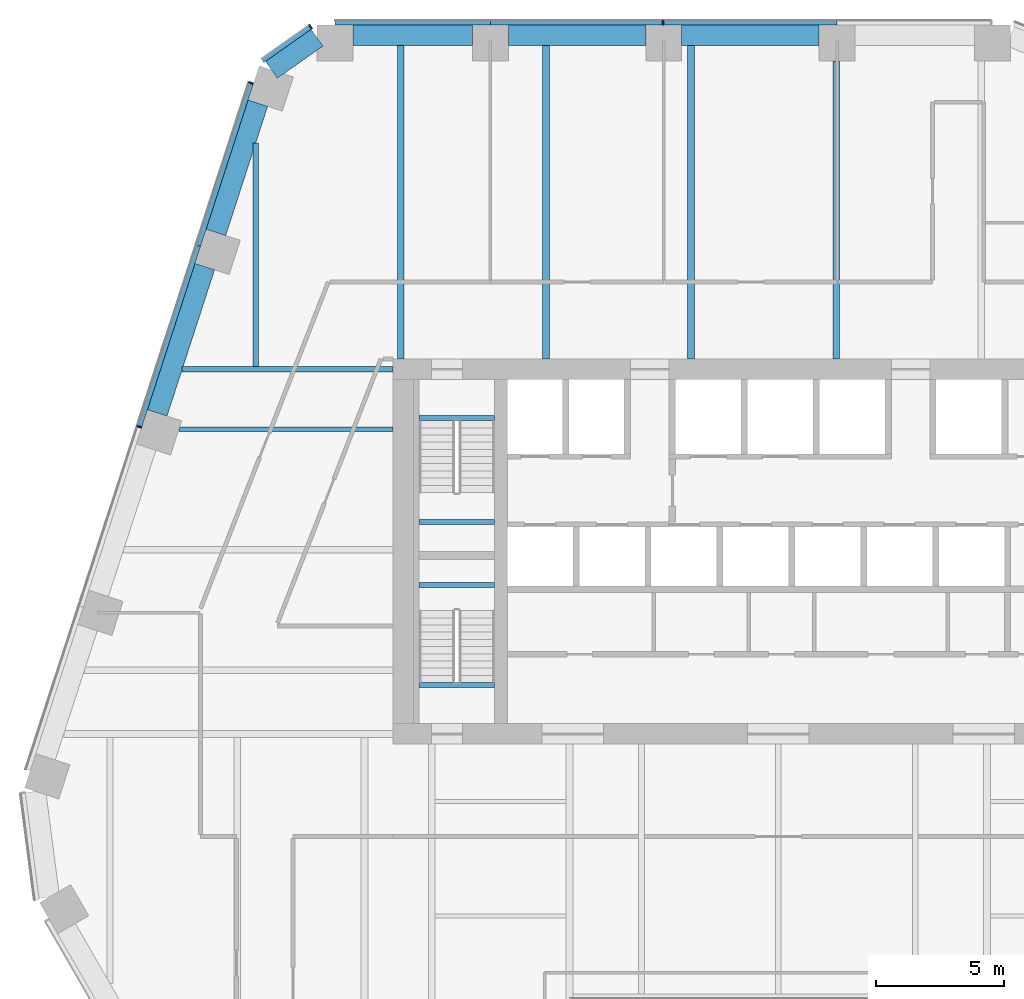
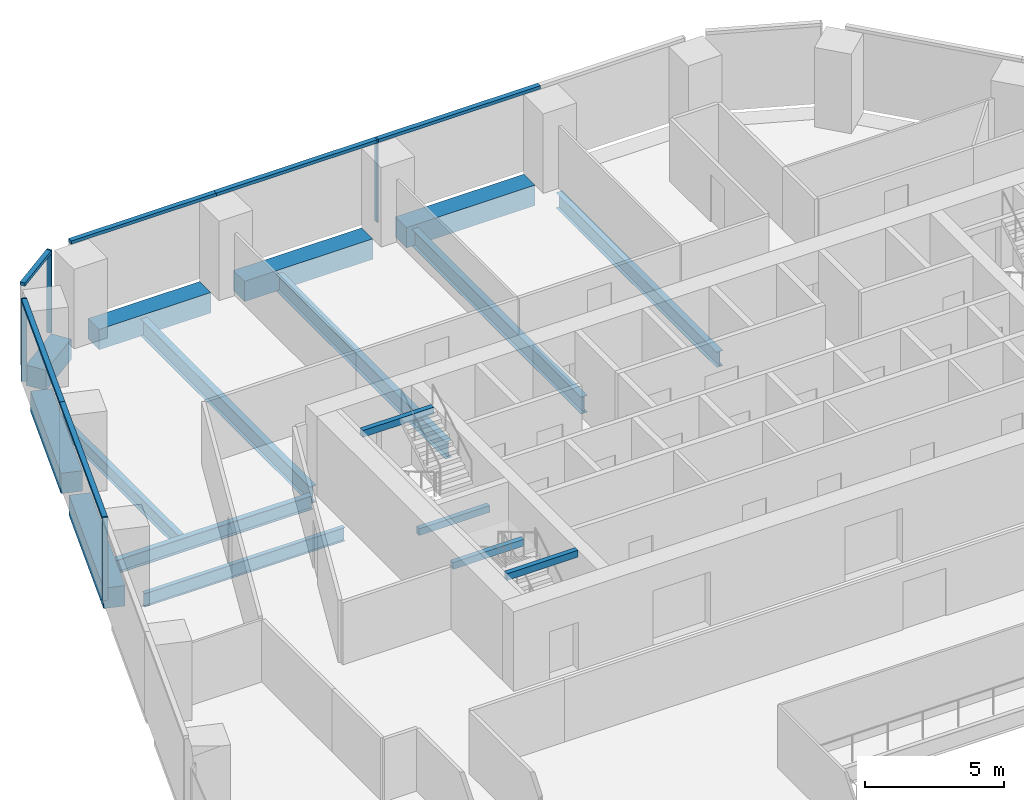
# One storey, part 7 of 16: 17 beams, 10 members, 3 elements without a shape of their own.
"""IFC4 building model written with IfcOpenShell, lengths in metres."""

import ifcopenshell
import ifcopenshell.guid

model = None  # the IFC model being written
_history = None  # IfcOwnerHistory: only IFC2X3 demands one
_inside = {}  # id of a spatial element -> (the spatial element, [elements in it])
_under = {}  # id of a project, library or spatial element -> (it, [spatial elements below it])
_declared = {}  # id of a project -> (the project, [libraries it declares])
_typed = {}  # id of a type object -> (the type object, [elements of that type])
_made_of = {}  # id of a material, layer set ... -> (it, [elements and type objects made of it])


def new_model(schema):
    """Start an empty IFC model of exactly this schema.

    Asked for "IFC4X3", IfcOpenShell would pick the latest addendum, in which some entities
    have other attributes; the version numbers below select the first issue.
    IFC2X3 requires an IfcOwnerHistory on every rooted entity: one is made here for all.
    """
    global model, _history
    if schema == "IFC4X3":
        model = ifcopenshell.file(schema_version=(4, 3, 0, 0))
    else:
        model = ifcopenshell.file(schema=schema)
    _inside.clear()
    _under.clear()
    _declared.clear()
    _typed.clear()
    _made_of.clear()
    _history = None
    if model.schema == "IFC2X3":
        org = make("IfcOrganization", Name="unknown")
        user = make(
            "IfcPersonAndOrganization",
            ThePerson=make("IfcPerson", FamilyName="unknown"),
            TheOrganization=org,
        )
        app = make(
            "IfcApplication",
            ApplicationDeveloper=org,
            Version="unknown",
            ApplicationFullName="unknown",
            ApplicationIdentifier="unknown",
        )
        _history = make(
            "IfcOwnerHistory",
            OwningUser=user,
            OwningApplication=app,
            ChangeAction="ADDED",
            CreationDate=0,
        )
    return model


def make(cls, **values):
    """One entity of the class cls with the attributes given. An attribute that is None is left unset."""
    return model.create_entity(
        cls, **{name: value for name, value in values.items() if value is not None}
    )


def rooted(cls, **values):
    """An entity with a GlobalId (a new one), such as an element, a storey or a relation."""
    return make(cls, GlobalId=ifcopenshell.guid.new(), OwnerHistory=_history, **values)


def si_unit(unit_type, name, prefix=None):
    """IfcSIUnit, for example si_unit("LENGTHUNIT", "METRE", prefix="MILLI")."""
    return make("IfcSIUnit", UnitType=unit_type, Prefix=prefix, Name=name)


def assignment(units):
    """IfcUnitAssignment: the units of a project."""
    return None if units is None else make("IfcUnitAssignment", Units=units)


def point(xyz):
    """IfcCartesianPoint."""
    return None if xyz is None else make("IfcCartesianPoint", Coordinates=xyz)


def direction(xyz):
    """IfcDirection."""
    return None if xyz is None else make("IfcDirection", DirectionRatios=xyz)


def frame(location, z_axis=None, x_axis=None):
    """IfcAxis2Placement3D, a coordinate frame: its origin and axes. An axis left out is left unset."""
    return make(
        "IfcAxis2Placement3D",
        Location=point(location),
        Axis=direction(z_axis),
        RefDirection=direction(x_axis),
    )


def frame_2d(location, x_axis=None):
    """IfcAxis2Placement2D, a coordinate frame in the plane: its origin and x axis."""
    return make(
        "IfcAxis2Placement2D", Location=point(location), RefDirection=direction(x_axis)
    )


def origin():
    """The frame at (0, 0, 0) with its axes left unset."""
    return frame((0.0, 0.0, 0.0))


def origin_2d():
    """The frame at (0, 0) in the plane with its x axis left unset."""
    return frame_2d((0.0, 0.0))


def place(relative_to, where):
    """IfcLocalPlacement: puts the frame where relative to a parent placement (None: the world)."""
    return make(
        "IfcLocalPlacement", PlacementRelTo=relative_to, RelativePlacement=where
    )


def context(
    kind, dimensions, precision=None, world=None, true_north=None, identifier=None
):
    """IfcGeometricRepresentationContext, for example the 3D "Model" context."""
    return make(
        "IfcGeometricRepresentationContext",
        ContextIdentifier=identifier,
        ContextType=kind,
        CoordinateSpaceDimension=dimensions,
        Precision=precision,
        WorldCoordinateSystem=world,
        TrueNorth=true_north,
    )


def subcontext(parent, identifier, kind, view, scale=None):
    """IfcGeometricRepresentationSubContext, for example "Body" below "Model"."""
    return make(
        "IfcGeometricRepresentationSubContext",
        ContextIdentifier=identifier,
        ContextType=kind,
        ParentContext=parent,
        TargetScale=scale,
        TargetView=view,
    )


def project(units=None, contexts=None):
    """IfcProject with its units and contexts."""
    return rooted(
        "IfcProject",
        Name="project",
        RepresentationContexts=contexts,
        UnitsInContext=assignment(units),
    )


def spatial(cls, under=None, at=None, **own):
    """A site, building, storey or space (cls), placed at a placement, below another one or the project."""
    s = rooted(cls, ObjectPlacement=at, **own)
    if under is not None:
        _under.setdefault(under.id(), (under, []))[1].append(s)
    return s


def profile(cls, at=None, kind="AREA", **sizes):
    """A parametric profile (cls). Its sizes go by their IFC names, for example OverallWidth=200.0."""
    return make(cls, ProfileType=kind, Position=at, **sizes)


def rectangle(**sizes):
    """IfcRectangleProfileDef."""
    return profile("IfcRectangleProfileDef", **sizes)


def i_section(**sizes):
    """IfcIShapeProfileDef."""
    return profile("IfcIShapeProfileDef", **sizes)


def extrude(swept, where, along, depth):
    """IfcExtrudedAreaSolid: the profile swept, set in the frame where, extruded along a direction by depth."""
    return make(
        "IfcExtrudedAreaSolid",
        SweptArea=swept,
        Position=where,
        ExtrudedDirection=direction(along),
        Depth=depth,
    )


def shape(context_of_items, identifier, shape_type, items):
    """IfcShapeRepresentation: the items that make up one representation, for example the "Body"."""
    return make(
        "IfcShapeRepresentation",
        ContextOfItems=context_of_items,
        RepresentationIdentifier=identifier,
        RepresentationType=shape_type,
        Items=items,
    )


def material(Name=None, Category=None):
    """IfcMaterial."""
    return make("IfcMaterial", Name=Name, Category=Category)


def layer(
    of_material, thickness, ventilated=None, Name=None, Category=None, Priority=None
):
    """IfcMaterialLayer: one layer of a wall or slab, of a material (None: an air gap)."""
    return make(
        "IfcMaterialLayer",
        Material=of_material,
        LayerThickness=thickness,
        IsVentilated=ventilated,
        Name=Name,
        Category=Category,
        Priority=Priority,
    )


def layer_set(layers, Name=None):
    """IfcMaterialLayerSet."""
    return make("IfcMaterialLayerSet", MaterialLayers=layers, LayerSetName=Name)


def material_profile(
    of_material, cross_section, Name=None, Category=None, Priority=None
):
    """IfcMaterialProfile: a cross section and its material."""
    return make(
        "IfcMaterialProfile",
        Name=Name,
        Material=of_material,
        Profile=cross_section,
        Priority=Priority,
        Category=Category,
    )


def profile_set(profiles, Name=None, composite=None):
    """IfcMaterialProfileSet."""
    return make(
        "IfcMaterialProfileSet",
        Name=Name,
        MaterialProfiles=profiles,
        CompositeProfile=composite,
    )


def made_of(thing, what):
    """Note that an element or type object is made of a material, layer set ...; save() writes the relation."""
    if what is not None:
        _made_of.setdefault(what.id(), (what, []))[1].append(thing)
    return thing


def type_object(cls, material=None, **own):
    """A type object (cls), such as IfcWallType, which elements share."""
    return made_of(rooted(cls, **own), material)


def element(
    cls,
    number,
    at=None,
    inside=None,
    cuts=None,
    type_object=None,
    material=None,
    context=None,
    identifier="Body",
    shape_type=None,
    held_by="IfcProductDefinitionShape",
    body=None,
    shapes=None,
    **own,
):
    """One element of the class cls, such as IfcWall. Its Tag is "e" and its number.

    at: its placement. inside: the storey or other place that contains it. cuts: it is an
    opening in that element (IfcRelVoidsElement). A single representation is given by context,
    identifier, shape_type and body (its items); several are given by shapes. held_by: the class
    of the entity that holds the representations. save() writes the other relations.
    """
    e = rooted(cls, Tag="e%d" % number, ObjectPlacement=at, **own)
    if body is not None:
        shapes = [shape(context, identifier, shape_type, body)]
    if shapes is not None:
        e.Representation = make(held_by, Representations=shapes)
    if inside is not None:
        _inside.setdefault(inside.id(), (inside, []))[1].append(e)
    if cuts is not None:
        rooted(
            "IfcRelVoidsElement", RelatingBuildingElement=cuts, RelatedOpeningElement=e
        )
    if type_object is not None:
        _typed.setdefault(type_object.id(), (type_object, []))[1].append(e)
    return made_of(e, material)


def aggregate(whole, parts):
    """IfcRelAggregates: a whole, such as a stair, and the parts it consists of."""
    return rooted("IfcRelAggregates", RelatingObject=whole, RelatedObjects=parts)


def save(model, path):
    """Write the relations noted so far, then the file.

    IfcRelAggregates (storeys below a building ...), IfcRelContainedInSpatialStructure (elements
    in a storey), IfcRelDefinesByType, IfcRelAssociatesMaterial and IfcRelDeclares: one each for
    every whole, place, type object, material and project.
    """
    for whole, parts in _under.values():
        aggregate(whole, parts)
    for where, things in _inside.values():
        rooted(
            "IfcRelContainedInSpatialStructure",
            RelatedElements=things,
            RelatingStructure=where,
        )
    for kind, things in _typed.values():
        rooted("IfcRelDefinesByType", RelatedObjects=things, RelatingType=kind)
    for what, things in _made_of.values():
        rooted("IfcRelAssociatesMaterial", RelatedObjects=things, RelatingMaterial=what)
    for by, libraries in _declared.values():
        rooted("IfcRelDeclares", RelatingContext=by, RelatedDefinitions=libraries)
    model.write(path)


model = new_model("IFC4")

# Units and contexts
model_context = context("Model", 3, precision=1e-05, world=origin(), true_north=direction((0.0, 1.0)))
body_context = subcontext(model_context, "Body", "Model", "MODEL_VIEW")
ifc_project = project(units=[si_unit("LENGTHUNIT", "METRE"), si_unit("AREAUNIT", "SQUARE_METRE"), si_unit("VOLUMEUNIT", "CUBIC_METRE"), si_unit("PLANEANGLEUNIT", "RADIAN"), si_unit("MASSUNIT", "GRAM", prefix="KILO")], contexts=[model_context])

# Site, building, storey
site_placement = place(None, origin())
site = spatial("IfcSite", under=ifc_project, at=site_placement, CompositionType="ELEMENT")
building_placement = place(site_placement, origin())
building = spatial("IfcBuilding", under=site, at=building_placement, Name="Isthmus Gate Tower", CompositionType="ELEMENT")
storey_placement = place(building_placement, frame((0.0, 0.0, 133.449951171875)))
storey = spatial("IfcBuildingStorey", under=building, at=storey_placement, Name="L32", CompositionType="ELEMENT", Elevation=133.449951171875)

# Curtain wall, member
ifc_material_1 = material(Name="Aluminium, pale champagne anodised", Category="aluminium")
ifc_layer = layer(ifc_material_1, 0.199951171875)
ifc_layer_set = layer_set([ifc_layer], Name="CW-1 UNITISED CURTAIN WALL 200 DEEP")
curtain_wall_type = type_object("IfcCurtainWallType", Name="CW-1 UNITISED CURTAIN WALL 200 DEEP", PredefinedType="NOTDEFINED", material=ifc_layer_set)
curtain_wall_1_placement = place(storey_placement, origin())
curtain_wall_1 = element("IfcCurtainWall", 1, at=curtain_wall_1_placement, inside=storey, type_object=curtain_wall_type, Name="CW-1 N L32", PredefinedType="NOTDEFINED")
ifc_material_2 = material(Name="Aluminium, pale champagne anodised", Category="aluminium")
ifc_material_profile_1 = material_profile(ifc_material_2, rectangle(XDim=0.06005859375, YDim=0.199951171875, at=origin_2d()), Name="60x200")
ifc_profile_set_1 = profile_set([ifc_material_profile_1], Name="Aluminium, pale champagne anodised")
member_type_1 = type_object("IfcMemberType", Name="CW-1 MULLION 60 X 200", PredefinedType="MULLION", material=ifc_profile_set_1)
member_1_placement = place(storey_placement, frame((-4.49169921875, 28.10009765625, 0.0), z_axis=(0.0, 0.0, 1.0), x_axis=(-1.0, 0.0, 0.0)))
member_1 = element("IfcMember", 2, at=member_1_placement, type_object=member_type_1, Name="CW-1 mullion", PredefinedType="MULLION", context=body_context, shape_type="SweptSolid", body=[
    extrude(rectangle(XDim=0.06005859375, YDim=0.199951171875, at=origin_2d()), origin(), (0.0, 0.0, 1.0), 3.650146484375),
])

curtain_wall_2_placement = place(storey_placement, origin())
curtain_wall_2 = element("IfcCurtainWall", 3, at=curtain_wall_2_placement, inside=storey, type_object=curtain_wall_type, Name="CW-1 N-NW L32", PredefinedType="NOTDEFINED")
member_2_placement = place(storey_placement, frame((-18.216552734375, 27.943115234375, 0.0), z_axis=(0.0, 0.0, 1.0), x_axis=(-0.81785959165, -0.57541783805, 0.0)))
member_2 = element("IfcMember", 4, at=member_2_placement, type_object=member_type_1, Name="CW-1 mullion", PredefinedType="MULLION", context=body_context, shape_type="SweptSolid", body=[
    extrude(rectangle(XDim=0.06005859375, YDim=0.199951171875, at=origin_2d()), origin(), (0.0, 0.0, 1.0), 3.650146484375),
])

# Curtain wall, members
curtain_wall_3_placement = place(storey_placement, origin())
curtain_wall_3 = element("IfcCurtainWall", 5, at=curtain_wall_3_placement, inside=storey, type_object=curtain_wall_type, Name="CW-1 NW L32", PredefinedType="NOTDEFINED")
member_3_placement = place(storey_placement, frame((-20.53564453125, 25.75146484375, 0.0), z_axis=(0.0, 0.0, 1.0), x_axis=(-0.309016994375, -0.951056516295, 0.0)))
member_3 = element("IfcMember", 6, at=member_3_placement, type_object=member_type_1, Name="CW-1 mullion", PredefinedType="MULLION", context=body_context, shape_type="SweptSolid", body=[
    extrude(rectangle(XDim=0.06005859375, YDim=0.199951171875, at=origin_2d()), origin(), (0.0, 0.0, 1.0), 3.650146484375),
])
member_4_placement = place(storey_placement, frame((-24.886962890625, 12.359130859375, 0.0), z_axis=(0.0, 0.0, 1.0), x_axis=(-0.309016994375, -0.951056516295, 0.0)))
member_4 = element("IfcMember", 7, at=member_4_placement, type_object=member_type_1, Name="CW-1 mullion", PredefinedType="MULLION", context=body_context, shape_type="SweptSolid", body=[
    extrude(rectangle(XDim=0.06005859375, YDim=0.199951171875, at=origin_2d()), origin(), (0.0, 0.0, 1.0), 3.650146484375),
])

# Member
ifc_material_3 = material(Name="Aluminium, pale champagne anodised", Category="aluminium")
ifc_material_profile_2 = material_profile(ifc_material_3, rectangle(XDim=0.199951171875, YDim=0.139892578125, at=origin_2d()), Name="200x140")
ifc_profile_set_2 = profile_set([ifc_material_profile_2], Name="Aluminium, pale champagne anodised")
member_type_2 = type_object("IfcMemberType", Name="CW-1 TRANSOM 200 X 140", PredefinedType="USERDEFINED", material=ifc_profile_set_2)
member_5_placement = place(storey_placement, frame((2.288330078125, 28.10009765625, 3.580078125), z_axis=(-1.0, 0.0, 0.0), x_axis=(0.0, -1.0, 0.0)))
member_5 = element("IfcMember", 8, at=member_5_placement, type_object=member_type_2, Name="CW-1 transom", ObjectType="TRANSOM", PredefinedType="USERDEFINED", context=body_context, shape_type="SweptSolid", body=[
    extrude(rectangle(XDim=0.199951171875, YDim=0.139892578125, at=origin_2d()), origin(), (0.0, 0.0, 1.0), 6.75),
])

member_6_placement = place(storey_placement, frame((-4.521728515625, 28.10009765625, 3.580078125), z_axis=(-1.0, 0.0, 0.0), x_axis=(0.0, -1.0, 0.0)))
member_6 = element("IfcMember", 9, at=member_6_placement, type_object=member_type_2, Name="CW-1 transom", ObjectType="TRANSOM", PredefinedType="USERDEFINED", context=body_context, shape_type="SweptSolid", body=[
    extrude(rectangle(XDim=0.199951171875, YDim=0.139892578125, at=origin_2d()), origin(), (0.0, 0.0, 1.0), 6.690185546875),
])

member_7_placement = place(storey_placement, frame((-11.2119140625, 28.10009765625, 3.580078125), z_axis=(-1.0, 0.0, 0.0), x_axis=(0.0, -1.0, 0.0)))
member_7 = element("IfcMember", 10, at=member_7_placement, type_object=member_type_2, Name="CW-1 transom", ObjectType="TRANSOM", PredefinedType="USERDEFINED", context=body_context, shape_type="SweptSolid", body=[
    extrude(rectangle(XDim=0.199951171875, YDim=0.139892578125, at=origin_2d()), origin(), (0.0, 0.0, 1.0), 6.050048828125),
])

aggregate(curtain_wall_1, [member_5, member_1, member_6, member_7])

member_8_placement = place(storey_placement, frame((-18.2412109375, 27.92578125, 3.580078125), z_axis=(-0.817868595604, -0.575405040233, 0.0), x_axis=(0.575405040233, -0.817868595604, 0.0)))
member_8 = element("IfcMember", 11, at=member_8_placement, type_object=member_type_2, Name="CW-1 transom", ObjectType="TRANSOM", PredefinedType="USERDEFINED", context=body_context, shape_type="SweptSolid", body=[
    extrude(rectangle(XDim=0.199951171875, YDim=0.139892578125, at=origin_2d()), origin(), (0.0, 0.0, 1.0), 2.258544921875),
])

aggregate(curtain_wall_2, [member_2, member_8])

member_9_placement = place(storey_placement, frame((-20.544921875, 25.72314453125, 3.580078125), z_axis=(-0.30898366881, -0.951067343782, 0.0), x_axis=(0.951067343782, -0.30898366881, 0.0)))
member_9 = element("IfcMember", 12, at=member_9_placement, type_object=member_type_2, Name="CW-1 transom", ObjectType="TRANSOM", PredefinedType="USERDEFINED", context=body_context, shape_type="SweptSolid", body=[
    extrude(rectangle(XDim=0.199951171875, YDim=0.139892578125, at=origin_2d()), origin(), (0.0, 0.0, 1.0), 6.630859375),
])

member_10_placement = place(storey_placement, frame((-22.59375, 19.416748046875, 3.580078125), z_axis=(-0.309024076379, -0.951054215183, 0.0), x_axis=(0.951054215183, -0.309024076379, 0.0)))
member_10 = element("IfcMember", 13, at=member_10_placement, type_object=member_type_2, Name="CW-1 transom", ObjectType="TRANSOM", PredefinedType="USERDEFINED", context=body_context, shape_type="SweptSolid", body=[
    extrude(rectangle(XDim=0.199951171875, YDim=0.139892578125, at=origin_2d()), origin(), (0.0, 0.0, 1.0), 7.390869140625),
])

aggregate(curtain_wall_3, [member_3, member_9, member_10, member_4])

# Beams
ifc_material_4 = material(Name="Concrete f'c 60 MPa", Category="concrete")
ifc_material_profile_3 = material_profile(ifc_material_4, rectangle(XDim=0.800048828125, YDim=0.89990234375, at=origin_2d()), Name="RC 800X900")
ifc_profile_set_3 = profile_set([ifc_material_profile_3], Name="Concrete f'c 60 MPa")
beam_type_1 = type_object("IfcBeamType", Name="RC SPANDREL 800 X 900", PredefinedType="SPANDREL", material=ifc_profile_set_3)
beam_1_placement = place(storey_placement, frame((-24.185791015625, 12.89892578125, -0.449951171875), z_axis=(0.308992998998, 0.951064312531, 0.0), x_axis=(-0.951064312531, 0.308992998998, 0.0)))
element("IfcBeam", 14, at=beam_1_placement, inside=storey, type_object=beam_type_1, Name="str-spandrel-L32-23", PredefinedType="SPANDREL", context=body_context, shape_type="SweptSolid", body=[
    extrude(rectangle(XDim=0.800048828125, YDim=0.89990234375, at=origin_2d()), origin(), (0.0, 0.0, 1.0), 5.99072265625),
])
beam_2_placement = place(storey_placement, frame((-21.902099609375, 19.927978515625, -0.449951171875), z_axis=(0.309020339202, 0.951055429489, 0.0), x_axis=(-0.951055429489, 0.309020339202, 0.0)))
element("IfcBeam", 15, at=beam_2_placement, inside=storey, type_object=beam_type_1, Name="str-spandrel-L32-24", PredefinedType="SPANDREL", context=body_context, shape_type="SweptSolid", body=[
    extrude(rectangle(XDim=0.800048828125, YDim=0.89990234375, at=origin_2d()), origin(), (0.0, 0.0, 1.0), 5.291015625),
])
beam_3_placement = place(storey_placement, frame((-19.7392578125, 26.260498046875, -0.449951171875), z_axis=(0.817857331203, 0.575421050882, 0.0), x_axis=(-0.575421050882, 0.817857331203, 0.0)))
element("IfcBeam", 16, at=beam_3_placement, inside=storey, type_object=beam_type_1, Name="str-spandrel-L32-25", PredefinedType="SPANDREL", context=body_context, shape_type="SweptSolid", body=[
    extrude(rectangle(XDim=0.800048828125, YDim=0.89990234375, at=origin_2d()), origin(), (0.0, 0.0, 1.0), 2.173095703125),
])
beam_4_placement = place(storey_placement, frame((-16.56201171875, 27.60009765625, -0.449951171875), z_axis=(1.0, 0.0, 0.0), x_axis=(0.0, 1.0, 0.0)))
element("IfcBeam", 17, at=beam_4_placement, inside=storey, type_object=beam_type_1, Name="str-spandrel-L32-26", PredefinedType="SPANDREL", context=body_context, shape_type="SweptSolid", body=[
    extrude(rectangle(XDim=0.800048828125, YDim=0.89990234375, at=origin_2d()), origin(), (0.0, 0.0, 1.0), 4.650146484375),
])
for number, where, z_axis, x_axis, name in (
    (18, (-10.51171875, 27.60009765625, -0.449951171875), (1.0, 0.0, 0.0), (0.0, 1.0, 0.0), "str-spandrel-L32-27"),
    (19, (-3.76171875, 27.60009765625, -0.449951171875), (1.0, 0.0, 0.0), (0.0, 1.0, 0.0), "str-spandrel-L32-28"),
):
    element("IfcBeam", number, at=place(storey_placement, frame(where, z_axis=z_axis, x_axis=x_axis)), inside=storey, type_object=beam_type_1, Name=name, PredefinedType="SPANDREL", context=body_context, shape_type="SweptSolid", body=[
        extrude(rectangle(XDim=0.800048828125, YDim=0.89990234375, at=origin_2d()), origin(), (0.0, 0.0, 1.0), 5.35009765625),
    ])
ifc_material_5 = material(Name="Concrete f'c 40 MPa", Category="concrete")
ifc_material_profile_4 = material_profile(ifc_material_5, rectangle(XDim=0.199951171875, YDim=0.300048828125, at=origin_2d()), Name="STAIR LANDING BEAM RC 200 X 300")
ifc_profile_set_4 = profile_set([ifc_material_profile_4], Name="Concrete f'c 40 MPa")
beam_type_2 = type_object("IfcBeamType", Name="STAIR LANDING BEAM RC 200 X 300", PredefinedType="BEAM", material=ifc_profile_set_4)
for number, where, z_axis, x_axis, name in (
    (20, (-14.0, 8.64990234375, 1.47509765625), (1.0, 0.0, 0.0), (0.0, 1.0, 0.0), "L32 ST1 landing beam 1"),
    (21, (-14.0, 12.7001953125, 3.35009765625), (1.0, 0.0, 0.0), (0.0, 1.0, 0.0), "L32 ST1 floor-edge seat beam"),
    (22, (-14.0, 6.199951171875, 1.47509765625), (1.0, 0.0, 0.0), (0.0, 1.0, 0.0), "L32 ST7 landing beam 1"),
    (23, (-14.0, 2.2998046875, 3.35009765625), (1.0, 0.0, 0.0), (0.0, 1.0, 0.0), "L32 ST7 floor-edge seat beam"),
):
    element("IfcBeam", number, at=place(storey_placement, frame(where, z_axis=z_axis, x_axis=x_axis)), inside=storey, type_object=beam_type_2, Name=name, PredefinedType="BEAM", context=body_context, shape_type="SweptSolid", body=[
        extrude(rectangle(XDim=0.199951171875, YDim=0.300048828125, at=origin_2d()), origin(), (0.0, 0.0, 1.0), 2.949951171875),
    ])
ifc_material_6 = material(Name="Structural steel ASTM A992 Gr 50", Category="steel")
ifc_material_profile_5 = material_profile(ifc_material_6, i_section(OverallWidth=0.177734375, OverallDepth=0.60009765625, WebThickness=0.009521484375, FlangeThickness=0.0126953125, at=origin_2d()), Name="W24X55")
ifc_profile_set_5 = profile_set([ifc_material_profile_5], Name="Structural steel ASTM A992 Gr 50")
beam_type_3 = type_object("IfcBeamType", Name="STEEL FLOOR BEAM W24X55", PredefinedType="JOIST", material=ifc_profile_set_5)
beam_5_placement = place(storey_placement, frame((-23.343505859375, 12.25537109375, -0.449951171875), z_axis=(1.0, 0.0, 0.0), x_axis=(0.0, 1.0, 0.0)))
element("IfcBeam", 24, at=beam_5_placement, inside=storey, type_object=beam_type_3, Name="str-beam-L32-01-02", PredefinedType="JOIST", context=body_context, shape_type="SweptSolid", body=[
    extrude(i_section(OverallWidth=0.177734375, OverallDepth=0.60009765625, WebThickness=0.009521484375, FlangeThickness=0.0126953125, at=origin_2d()), origin(), (0.0, 0.0, 1.0), 8.343505859375),
])
ifc_material_7 = material(Name="Structural steel ASTM A992 Gr 50", Category="steel")
ifc_material_profile_6 = material_profile(ifc_material_7, i_section(OverallWidth=0.228515625, OverallDepth=0.603271484375, WebThickness=0.010986328125, FlangeThickness=0.014404296875, at=origin_2d()), Name="W24X68")
ifc_profile_set_6 = profile_set([ifc_material_profile_6], Name="Structural steel ASTM A992 Gr 50")
beam_type_4 = type_object("IfcBeamType", Name="STEEL FLOOR BEAM W24X68", PredefinedType="JOIST", material=ifc_profile_set_6)
beam_6_placement = place(storey_placement, frame((-20.35009765625, 14.71435546875, -0.45166015625), z_axis=(0.0, 1.0, 0.0), x_axis=(-1.0, 0.0, 0.0)))
element("IfcBeam", 25, at=beam_6_placement, inside=storey, type_object=beam_type_4, Name="str-beam-L32-05-00", PredefinedType="JOIST", context=body_context, shape_type="SweptSolid", body=[
    extrude(i_section(OverallWidth=0.228515625, OverallDepth=0.603271484375, WebThickness=0.010986328125, FlangeThickness=0.014404296875, at=origin_2d()), origin(), (0.0, 0.0, 1.0), 8.6953125),
])
ifc_material_8 = material(Name="Structural steel ASTM A992 Gr 50", Category="steel")
ifc_material_profile_7 = material_profile(ifc_material_8, i_section(OverallWidth=0.25390625, OverallDepth=0.679443359375, WebThickness=0.010986328125, FlangeThickness=0.015869140625, at=origin_2d()), Name="W27X84")
ifc_profile_set_7 = profile_set([ifc_material_profile_7], Name="Structural steel ASTM A992 Gr 50")
beam_type_5 = type_object("IfcBeamType", Name="STEEL FLOOR BEAM W27X84", PredefinedType="JOIST", material=ifc_profile_set_7)
beam_7_placement = place(storey_placement, frame((2.25244140625, 15.0, -0.48974609375), z_axis=(0.0, 1.0, 0.0), x_axis=(-1.0, 0.0, 0.0)))
element("IfcBeam", 26, at=beam_7_placement, inside=storey, type_object=beam_type_5, Name="str-beam-L32-05-04", PredefinedType="JOIST", context=body_context, shape_type="SweptSolid", body=[
    extrude(i_section(OverallWidth=0.25390625, OverallDepth=0.679443359375, WebThickness=0.010986328125, FlangeThickness=0.015869140625, at=origin_2d()), origin(), (0.0, 0.0, 1.0), 11.60009765625),
])
ifc_material_9 = material(Name="Structural steel ASTM A992 Gr 50", Category="steel")
ifc_material_profile_8 = material_profile(ifc_material_9, i_section(OverallWidth=0.263427734375, OverallDepth=0.749267578125, WebThickness=0.0126953125, FlangeThickness=0.015869140625, at=origin_2d()), Name="W30X90")
ifc_profile_set_8 = profile_set([ifc_material_profile_8], Name="Structural steel ASTM A992 Gr 50")
beam_type_6 = type_object("IfcBeamType", Name="STEEL FLOOR BEAM W30X90", PredefinedType="JOIST", material=ifc_profile_set_8)
for number, where, z_axis, x_axis, name in (
    (27, (-14.699462890625, 15.0, -0.524658203125), (0.0, 1.0, 0.0), (-1.0, 0.0, 0.0), "str-beam-L32-05-01"),
    (28, (-9.048828125, 15.0, -0.524658203125), (0.0, 1.0, 0.0), (-1.0, 0.0, 0.0), "str-beam-L32-05-02"),
    (29, (-3.398193359375, 15.0, -0.524658203125), (0.0, 1.0, 0.0), (-1.0, 0.0, 0.0), "str-beam-L32-05-03"),
):
    element("IfcBeam", number, at=place(storey_placement, frame(where, z_axis=z_axis, x_axis=x_axis)), inside=storey, type_object=beam_type_6, Name=name, PredefinedType="JOIST", context=body_context, shape_type="SweptSolid", body=[
        extrude(i_section(OverallWidth=0.263427734375, OverallDepth=0.749267578125, WebThickness=0.0126953125, FlangeThickness=0.015869140625, at=origin_2d()), origin(), (0.0, 0.0, 1.0), 12.199951171875),
    ])
ifc_material_10 = material(Name="Structural steel ASTM A992 Gr 50", Category="steel")
ifc_material_profile_9 = material_profile(ifc_material_10, i_section(OverallWidth=0.228515625, OverallDepth=0.6064453125, WebThickness=0.010986328125, FlangeThickness=0.017578125, at=origin_2d()), Name="W24X76")
ifc_profile_set_9 = profile_set([ifc_material_profile_9], Name="Structural steel ASTM A992 Gr 50")
beam_type_7 = type_object("IfcBeamType", Name="STEEL GIRDER W24X76", PredefinedType="BEAM", material=ifc_profile_set_9)
beam_8_placement = place(storey_placement, frame((-15.0, 14.60009765625, -0.453125), z_axis=(-1.0, 0.0, 0.0), x_axis=(0.0, -1.0, 0.0)))
element("IfcBeam", 30, at=beam_8_placement, inside=storey, type_object=beam_type_7, Name="str-girder-L32-15", PredefinedType="BEAM", context=body_context, shape_type="SweptSolid", body=[
    extrude(i_section(OverallWidth=0.228515625, OverallDepth=0.6064453125, WebThickness=0.010986328125, FlangeThickness=0.017578125, at=origin_2d()), origin(), (0.0, 0.0, 1.0), 8.212646484375),
])

save(model, "model.ifc")
